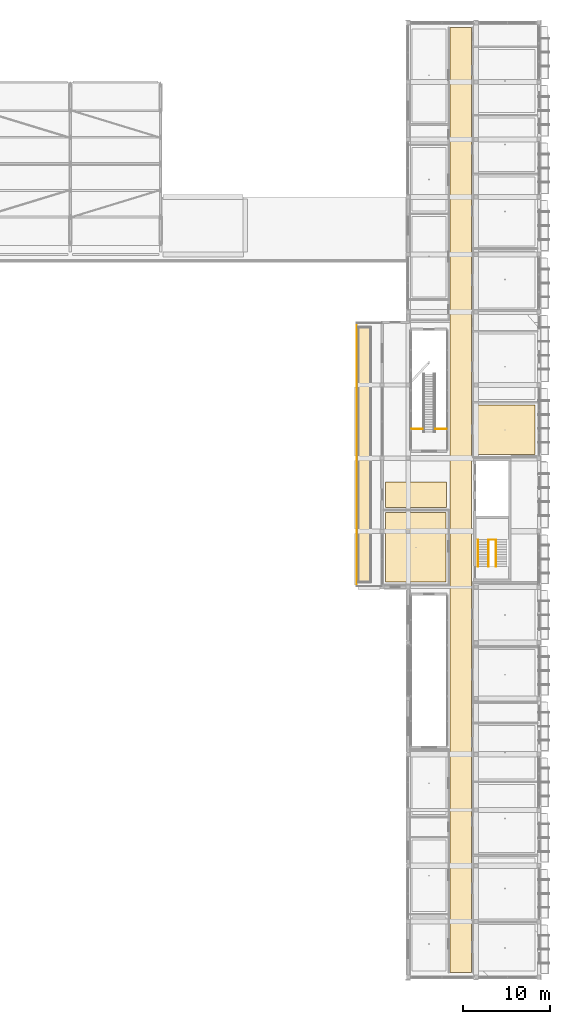
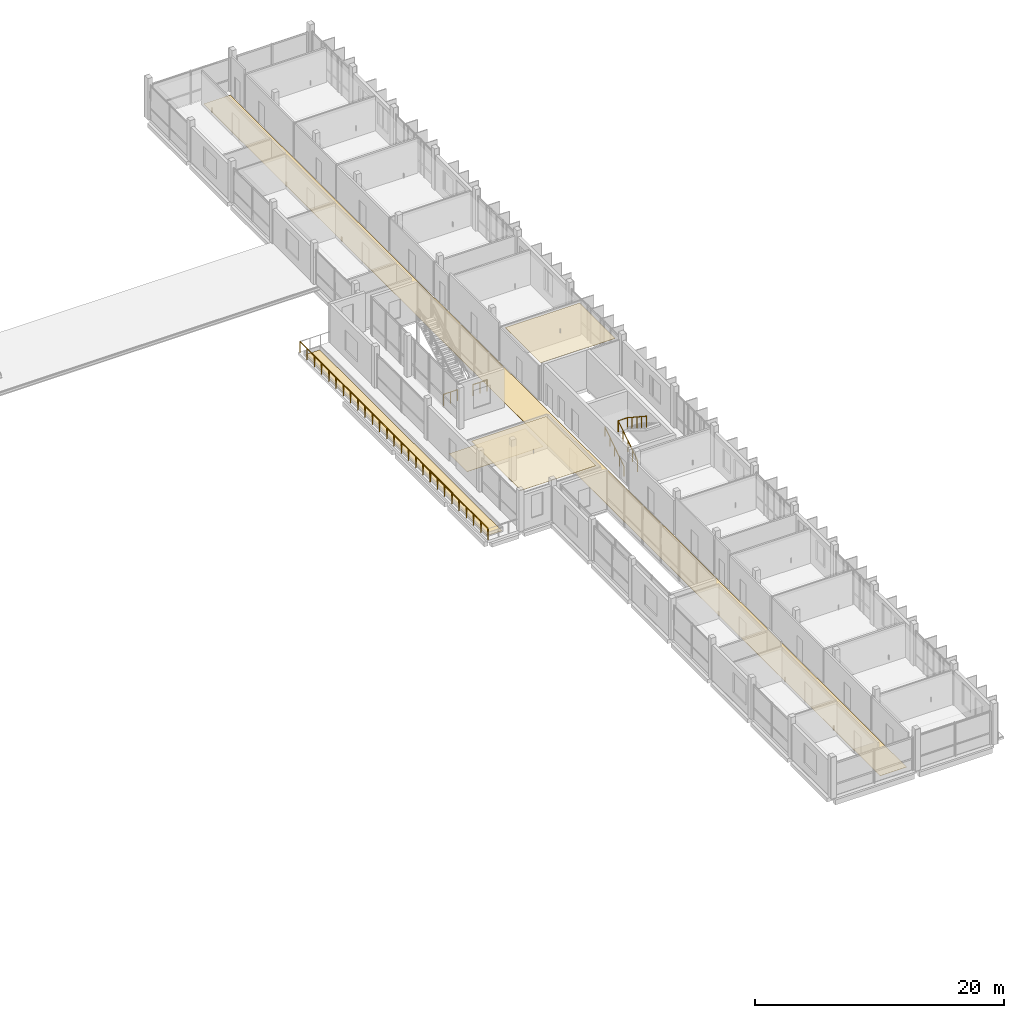
# One storey, part 84 of 86: 5 coverings, 5 railings.
"""IFC4 building model written with IfcOpenShell, lengths in metres."""

import ifcopenshell
import ifcopenshell.guid

model = None  # the IFC model being written
_history = None  # IfcOwnerHistory: only IFC2X3 demands one
_inside = {}  # id of a spatial element -> (the spatial element, [elements in it])
_under = {}  # id of a project, library or spatial element -> (it, [spatial elements below it])
_declared = {}  # id of a project -> (the project, [libraries it declares])
_typed = {}  # id of a type object -> (the type object, [elements of that type])
_made_of = {}  # id of a material, layer set ... -> (it, [elements and type objects made of it])


def new_model(schema):
    """Start an empty IFC model of exactly this schema.

    Asked for "IFC4X3", IfcOpenShell would pick the latest addendum, in which some entities
    have other attributes; the version numbers below select the first issue.
    IFC2X3 requires an IfcOwnerHistory on every rooted entity: one is made here for all.
    """
    global model, _history
    if schema == "IFC4X3":
        model = ifcopenshell.file(schema_version=(4, 3, 0, 0))
    else:
        model = ifcopenshell.file(schema=schema)
    _inside.clear()
    _under.clear()
    _declared.clear()
    _typed.clear()
    _made_of.clear()
    _history = None
    if model.schema == "IFC2X3":
        org = make("IfcOrganization", Name="unknown")
        user = make(
            "IfcPersonAndOrganization",
            ThePerson=make("IfcPerson", FamilyName="unknown"),
            TheOrganization=org,
        )
        app = make(
            "IfcApplication",
            ApplicationDeveloper=org,
            Version="unknown",
            ApplicationFullName="unknown",
            ApplicationIdentifier="unknown",
        )
        _history = make(
            "IfcOwnerHistory",
            OwningUser=user,
            OwningApplication=app,
            ChangeAction="ADDED",
            CreationDate=0,
        )
    return model


def make(cls, **values):
    """One entity of the class cls with the attributes given. An attribute that is None is left unset."""
    return model.create_entity(
        cls, **{name: value for name, value in values.items() if value is not None}
    )


def rooted(cls, **values):
    """An entity with a GlobalId (a new one), such as an element, a storey or a relation."""
    return make(cls, GlobalId=ifcopenshell.guid.new(), OwnerHistory=_history, **values)


def si_unit(unit_type, name, prefix=None):
    """IfcSIUnit, for example si_unit("LENGTHUNIT", "METRE", prefix="MILLI")."""
    return make("IfcSIUnit", UnitType=unit_type, Prefix=prefix, Name=name)


def derived_unit(unit_type, elements):
    """IfcDerivedUnit: a product of units, each with its exponent."""
    return make(
        "IfcDerivedUnit",
        Elements=[
            make("IfcDerivedUnitElement", Unit=unit, Exponent=power)
            for unit, power in elements
        ],
        UnitType=unit_type,
    )


def assignment(units):
    """IfcUnitAssignment: the units of a project."""
    return None if units is None else make("IfcUnitAssignment", Units=units)


def point(xyz):
    """IfcCartesianPoint."""
    return None if xyz is None else make("IfcCartesianPoint", Coordinates=xyz)


def direction(xyz):
    """IfcDirection."""
    return None if xyz is None else make("IfcDirection", DirectionRatios=xyz)


def frame(location, z_axis=None, x_axis=None):
    """IfcAxis2Placement3D, a coordinate frame: its origin and axes. An axis left out is left unset."""
    return make(
        "IfcAxis2Placement3D",
        Location=point(location),
        Axis=direction(z_axis),
        RefDirection=direction(x_axis),
    )


def frame_2d(location, x_axis=None):
    """IfcAxis2Placement2D, a coordinate frame in the plane: its origin and x axis."""
    return make(
        "IfcAxis2Placement2D", Location=point(location), RefDirection=direction(x_axis)
    )


def origin():
    """The frame at (0, 0, 0) with its axes left unset."""
    return frame((0.0, 0.0, 0.0))


def origin_2d():
    """The frame at (0, 0) in the plane with its x axis left unset."""
    return frame_2d((0.0, 0.0))


def place(relative_to, where):
    """IfcLocalPlacement: puts the frame where relative to a parent placement (None: the world)."""
    return make(
        "IfcLocalPlacement", PlacementRelTo=relative_to, RelativePlacement=where
    )


def context(
    kind, dimensions, precision=None, world=None, true_north=None, identifier=None
):
    """IfcGeometricRepresentationContext, for example the 3D "Model" context."""
    return make(
        "IfcGeometricRepresentationContext",
        ContextIdentifier=identifier,
        ContextType=kind,
        CoordinateSpaceDimension=dimensions,
        Precision=precision,
        WorldCoordinateSystem=world,
        TrueNorth=true_north,
    )


def subcontext(parent, identifier, kind, view, scale=None):
    """IfcGeometricRepresentationSubContext, for example "Body" below "Model"."""
    return make(
        "IfcGeometricRepresentationSubContext",
        ContextIdentifier=identifier,
        ContextType=kind,
        ParentContext=parent,
        TargetScale=scale,
        TargetView=view,
    )


def project(units=None, contexts=None):
    """IfcProject with its units and contexts."""
    return rooted(
        "IfcProject",
        Name="project",
        RepresentationContexts=contexts,
        UnitsInContext=assignment(units),
    )


def spatial(cls, under=None, at=None, **own):
    """A site, building, storey or space (cls), placed at a placement, below another one or the project."""
    s = rooted(cls, ObjectPlacement=at, **own)
    if under is not None:
        _under.setdefault(under.id(), (under, []))[1].append(s)
    return s


def polyline(points):
    """IfcPolyline through the points."""
    return make("IfcPolyline", Points=[point(p) for p in points])


def profile(cls, at=None, kind="AREA", **sizes):
    """A parametric profile (cls). Its sizes go by their IFC names, for example OverallWidth=200.0."""
    return make(cls, ProfileType=kind, Position=at, **sizes)


def circle(**sizes):
    """IfcCircleProfileDef."""
    return profile("IfcCircleProfileDef", **sizes)


def outline(outer, holes=None, kind="AREA"):
    """IfcArbitraryClosedProfileDef: a profile drawn as a closed curve; with holes, ...WithVoids."""
    if holes is None:
        return make("IfcArbitraryClosedProfileDef", ProfileType=kind, OuterCurve=outer)
    return make(
        "IfcArbitraryProfileDefWithVoids",
        ProfileType=kind,
        OuterCurve=outer,
        InnerCurves=holes,
    )


def extrude(swept, where, along, depth):
    """IfcExtrudedAreaSolid: the profile swept, set in the frame where, extruded along a direction by depth."""
    return make(
        "IfcExtrudedAreaSolid",
        SweptArea=swept,
        Position=where,
        ExtrudedDirection=direction(along),
        Depth=depth,
    )


def shape(context_of_items, identifier, shape_type, items):
    """IfcShapeRepresentation: the items that make up one representation, for example the "Body"."""
    return make(
        "IfcShapeRepresentation",
        ContextOfItems=context_of_items,
        RepresentationIdentifier=identifier,
        RepresentationType=shape_type,
        Items=items,
    )


def material(Name=None, Category=None):
    """IfcMaterial."""
    return make("IfcMaterial", Name=Name, Category=Category)


def layer(
    of_material, thickness, ventilated=None, Name=None, Category=None, Priority=None
):
    """IfcMaterialLayer: one layer of a wall or slab, of a material (None: an air gap)."""
    return make(
        "IfcMaterialLayer",
        Material=of_material,
        LayerThickness=thickness,
        IsVentilated=ventilated,
        Name=Name,
        Category=Category,
        Priority=Priority,
    )


def layer_set(layers, Name=None):
    """IfcMaterialLayerSet."""
    return make("IfcMaterialLayerSet", MaterialLayers=layers, LayerSetName=Name)


def made_of(thing, what):
    """Note that an element or type object is made of a material, layer set ...; save() writes the relation."""
    if what is not None:
        _made_of.setdefault(what.id(), (what, []))[1].append(thing)
    return thing


def type_object(cls, material=None, **own):
    """A type object (cls), such as IfcWallType, which elements share."""
    return made_of(rooted(cls, **own), material)


def element(
    cls,
    number,
    at=None,
    inside=None,
    cuts=None,
    type_object=None,
    material=None,
    context=None,
    identifier="Body",
    shape_type=None,
    held_by="IfcProductDefinitionShape",
    body=None,
    shapes=None,
    **own,
):
    """One element of the class cls, such as IfcWall. Its Tag is "e" and its number.

    at: its placement. inside: the storey or other place that contains it. cuts: it is an
    opening in that element (IfcRelVoidsElement). A single representation is given by context,
    identifier, shape_type and body (its items); several are given by shapes. held_by: the class
    of the entity that holds the representations. save() writes the other relations.
    """
    e = rooted(cls, Tag="e%d" % number, ObjectPlacement=at, **own)
    if body is not None:
        shapes = [shape(context, identifier, shape_type, body)]
    if shapes is not None:
        e.Representation = make(held_by, Representations=shapes)
    if inside is not None:
        _inside.setdefault(inside.id(), (inside, []))[1].append(e)
    if cuts is not None:
        rooted(
            "IfcRelVoidsElement", RelatingBuildingElement=cuts, RelatedOpeningElement=e
        )
    if type_object is not None:
        _typed.setdefault(type_object.id(), (type_object, []))[1].append(e)
    return made_of(e, material)


def aggregate(whole, parts):
    """IfcRelAggregates: a whole, such as a stair, and the parts it consists of."""
    return rooted("IfcRelAggregates", RelatingObject=whole, RelatedObjects=parts)


def save(model, path):
    """Write the relations noted so far, then the file.

    IfcRelAggregates (storeys below a building ...), IfcRelContainedInSpatialStructure (elements
    in a storey), IfcRelDefinesByType, IfcRelAssociatesMaterial and IfcRelDeclares: one each for
    every whole, place, type object, material and project.
    """
    for whole, parts in _under.values():
        aggregate(whole, parts)
    for where, things in _inside.values():
        rooted(
            "IfcRelContainedInSpatialStructure",
            RelatedElements=things,
            RelatingStructure=where,
        )
    for kind, things in _typed.values():
        rooted("IfcRelDefinesByType", RelatedObjects=things, RelatingType=kind)
    for what, things in _made_of.values():
        rooted("IfcRelAssociatesMaterial", RelatedObjects=things, RelatingMaterial=what)
    for by, libraries in _declared.values():
        rooted("IfcRelDeclares", RelatingContext=by, RelatedDefinitions=libraries)
    model.write(path)


model = new_model("IFC4")

# Units and contexts
model_context = context("Model", 3, precision=1e-05, world=origin(), true_north=direction((0.0, 1.0)))
body_context = subcontext(model_context, "Body", "Model", "MODEL_VIEW")
ifc_project = project(units=[si_unit("LENGTHUNIT", "METRE"), si_unit("AREAUNIT", "SQUARE_METRE"), si_unit("VOLUMEUNIT", "CUBIC_METRE"), si_unit("PLANEANGLEUNIT", "RADIAN"), si_unit("MASSUNIT", "GRAM", prefix="KILO"), derived_unit("THERMALTRANSMITTANCEUNIT", [(si_unit("POWERUNIT", "WATT"), 1), (si_unit("LENGTHUNIT", "METRE"), -2), (si_unit("THERMODYNAMICTEMPERATUREUNIT", "KELVIN"), -1)])], contexts=[model_context])

# Site, building, storey
site_placement = place(None, origin())
site = spatial("IfcSite", under=ifc_project, at=site_placement, CompositionType="ELEMENT")
building_placement = place(site_placement, origin())
building = spatial("IfcBuilding", under=site, at=building_placement, Name="Braskholm Square Health Centre", CompositionType="ELEMENT")
storey_placement = place(building_placement, frame((0.0, 0.0, 13.5)))
storey = spatial("IfcBuildingStorey", under=building, at=storey_placement, Name="L04", CompositionType="ELEMENT", Elevation=13.5)

# Coverings
ifc_material_1 = material(Name="Fire-rated gypsum board barrier")
ifc_layer_1 = layer(ifc_material_1, 0.02490234375)
ifc_layer_set_1 = layer_set([ifc_layer_1], Name="Fire-rated gypsum board barrier")
covering_type_1 = type_object("IfcCoveringType", Name="AcousticClinicalCeilingTile", PredefinedType="CEILING", material=ifc_layer_set_1)
covering_1_placement = place(storey_placement, frame((0.0, 0.0, 3.35498046875)))
element("IfcCovering", 1, at=covering_1_placement, inside=storey, type_object=covering_type_1, Name="Acoustic ceiling L04-250", PredefinedType="CEILING", context=body_context, shape_type="SweptSolid", body=[
    extrude(outline(polyline([(156.5, 64.199951171875), (163.3798828125, 64.199951171875), (163.3798828125, 69.919921875), (156.5, 69.919921875), (156.5, 64.199951171875)])), origin(), (0.0, 0.0, 1.0), 0.02490234375),
])
covering_2_placement = place(storey_placement, frame((0.0, 0.0, 3.3349609375)))
element("IfcCovering", 2, at=covering_2_placement, inside=storey, type_object=covering_type_1, Name="Acoustic ceiling L04-263", PredefinedType="CEILING", context=body_context, shape_type="SweptSolid", body=[
    extrude(outline(polyline([(146.219970703125, 49.580078125), (153.14990234375, 49.580078125), (153.14990234375, 57.550048828125), (146.219970703125, 57.550048828125), (146.219970703125, 49.580078125)])), origin(), (0.0, 0.0, 1.0), 0.025146484375),
])

# Railings
ifc_material_2 = material(Name="Dark patinated chevron architectural bronze", Category="aluminium")
railing_type_1 = type_object("IfcRailingType", Name="BronzeChevronGuardrail1100", PredefinedType="GUARDRAIL", material=ifc_material_2)
railing_1_placement = place(storey_placement, frame((158.030029296875, 51.360107421875, 0.0)))
element("IfcRailing", 3, at=railing_1_placement, inside=storey, type_object=railing_type_1, Name="Stair ST-04 inner well guardrail L04", PredefinedType="GUARDRAIL", context=body_context, shape_type="SweptSolid", body=[
    extrude(circle(Radius=0.02392578125, at=origin_2d()), frame((0.0, 0.0, 1.076171875), z_axis=(0.0, 0.83557951683, 0.54936952141), x_axis=(-1.0, 0.0, 0.0)), (0.0, 0.0, 1.0), 3.685791015625),
    extrude(circle(Radius=0.02392578125, at=origin_2d()), frame((0.0, 3.079833984375, 3.10107421875), z_axis=(1.0, 0.0, 0.0), x_axis=(0.0, 1.0, 0.0)), (0.0, 0.0, 1.0), 0.840087890625),
    extrude(circle(Radius=0.02392578125, at=origin_2d()), frame((0.840087890625, 3.079833984375, 3.10107421875), z_axis=(0.0, -0.835549111106, 0.549415765091), x_axis=(1.0, 0.0, 0.0)), (0.0, 0.0, 1.0), 3.68603515625),
    extrude(circle(Radius=0.02099609375, at=origin_2d()), origin(), (0.0, 0.0, 1.0), 1.052001953125),
    extrude(circle(Radius=0.02099609375, at=origin_2d()), frame((0.0, 0.77001953125, 0.50634765625)), (0.0, 0.0, 1.0), 1.052001953125),
    extrude(circle(Radius=0.02099609375, at=origin_2d()), frame((0.0, 1.5400390625, 1.012451171875)), (0.0, 0.0, 1.0), 1.052001953125),
    extrude(circle(Radius=0.02099609375, at=origin_2d()), frame((0.0, 2.309814453125, 1.5185546875)), (0.0, 0.0, 1.0), 1.052001953125),
    extrude(circle(Radius=0.02099609375, at=origin_2d()), frame((0.0, 3.079833984375, 2.02490234375)), (0.0, 0.0, 1.0), 1.052001953125),
    extrude(circle(Radius=0.02099609375, at=origin_2d()), frame((0.840087890625, 3.079833984375, 2.02490234375)), (0.0, 0.0, 1.0), 1.052001953125),
    extrude(circle(Radius=0.02099609375, at=origin_2d()), frame((0.840087890625, 2.309814453125, 2.53125)), (0.0, 0.0, 1.0), 1.052001953125),
    extrude(circle(Radius=0.02099609375, at=origin_2d()), frame((0.840087890625, 1.5400390625, 3.03759765625)), (0.0, 0.0, 1.0), 1.052001953125),
    extrude(circle(Radius=0.02099609375, at=origin_2d()), frame((0.840087890625, 0.77001953125, 3.543701171875)), (0.0, 0.0, 1.0), 1.052001953125),
    extrude(circle(Radius=0.02099609375, at=origin_2d()), frame((0.840087890625, 0.0, 4.050048828125)), (0.0, 0.0, 1.0), 1.052001953125),
])
for number, where, name in (
    (4, (149.179931640625, 67.14990234375, 0.0), "Atrium stair landing edge guard 25"),
    (5, (151.919921875, 67.14990234375, 0.0), "Atrium stair landing edge guard 26"),
):
    element("IfcRailing", number, at=place(storey_placement, frame(where)), inside=storey, type_object=railing_type_1, Name=name, PredefinedType="GUARDRAIL", context=body_context, shape_type="SweptSolid", body=[
        extrude(circle(Radius=0.02392578125, at=origin_2d()), frame((0.0, 0.0, 1.076171875), z_axis=(1.0, 0.0, 0.0), x_axis=(0.0, 1.0, 0.0)), (0.0, 0.0, 1.0), 1.300048828125),
        extrude(circle(Radius=0.02099609375, at=origin_2d()), origin(), (0.0, 0.0, 1.0), 1.052001953125),
        extrude(circle(Radius=0.02099609375, at=origin_2d()), frame((0.64990234375, 0.0, 0.0)), (0.0, 0.0, 1.0), 1.052001953125),
        extrude(circle(Radius=0.02099609375, at=origin_2d()), frame((1.300048828125, 0.0, 0.0)), (0.0, 0.0, 1.0), 1.052001953125),
    ])
railing_2_placement = place(storey_placement, frame((142.89990234375, 49.10009765625, 0.0)))
element("IfcRailing", 6, at=railing_2_placement, inside=storey, type_object=railing_type_1, Name="Bronze chevron guardrail 0045 L04", PredefinedType="GUARDRAIL", context=body_context, shape_type="SweptSolid", body=[
    extrude(circle(Radius=0.02392578125, at=origin_2d()), frame((0.0, 0.0, 1.076171875), z_axis=(0.0, 1.0, 0.0), x_axis=(-1.0, 0.0, 0.0)), (0.0, 0.0, 1.0), 30.199951171875),
    extrude(circle(Radius=0.02099609375, at=origin_2d()), origin(), (0.0, 0.0, 1.0), 1.052001953125),
    extrude(circle(Radius=0.02099609375, at=origin_2d()), frame((0.0, 1.16162109375, 0.0)), (0.0, 0.0, 1.0), 1.052001953125),
    extrude(circle(Radius=0.02099609375, at=origin_2d()), frame((0.0, 2.322998046875, 0.0)), (0.0, 0.0, 1.0), 1.052001953125),
    extrude(circle(Radius=0.02099609375, at=origin_2d()), frame((0.0, 3.484619140625, 0.0)), (0.0, 0.0, 1.0), 1.052001953125),
    extrude(circle(Radius=0.02099609375, at=origin_2d()), frame((0.0, 4.646240234375, 0.0)), (0.0, 0.0, 1.0), 1.052001953125),
    extrude(circle(Radius=0.02099609375, at=origin_2d()), frame((0.0, 5.8076171875, 0.0)), (0.0, 0.0, 1.0), 1.052001953125),
    extrude(circle(Radius=0.02099609375, at=origin_2d()), frame((0.0, 6.96923828125, 0.0)), (0.0, 0.0, 1.0), 1.052001953125),
    extrude(circle(Radius=0.02099609375, at=origin_2d()), frame((0.0, 8.130859375, 0.0)), (0.0, 0.0, 1.0), 1.052001953125),
    extrude(circle(Radius=0.02099609375, at=origin_2d()), frame((0.0, 9.292236328125, 0.0)), (0.0, 0.0, 1.0), 1.052001953125),
    extrude(circle(Radius=0.02099609375, at=origin_2d()), frame((0.0, 10.453857421875, 0.0)), (0.0, 0.0, 1.0), 1.052001953125),
    extrude(circle(Radius=0.02099609375, at=origin_2d()), frame((0.0, 11.615478515625, 0.0)), (0.0, 0.0, 1.0), 1.052001953125),
    extrude(circle(Radius=0.02099609375, at=origin_2d()), frame((0.0, 12.77685546875, 0.0)), (0.0, 0.0, 1.0), 1.052001953125),
    extrude(circle(Radius=0.02099609375, at=origin_2d()), frame((0.0, 13.9384765625, 0.0)), (0.0, 0.0, 1.0), 1.052001953125),
    extrude(circle(Radius=0.02099609375, at=origin_2d()), frame((0.0, 15.10009765625, 0.0)), (0.0, 0.0, 1.0), 1.052001953125),
    extrude(circle(Radius=0.02099609375, at=origin_2d()), frame((0.0, 16.261474609375, 0.0)), (0.0, 0.0, 1.0), 1.052001953125),
    extrude(circle(Radius=0.02099609375, at=origin_2d()), frame((0.0, 17.423095703125, 0.0)), (0.0, 0.0, 1.0), 1.052001953125),
    extrude(circle(Radius=0.02099609375, at=origin_2d()), frame((0.0, 18.58447265625, 0.0)), (0.0, 0.0, 1.0), 1.052001953125),
    extrude(circle(Radius=0.02099609375, at=origin_2d()), frame((0.0, 19.74609375, 0.0)), (0.0, 0.0, 1.0), 1.052001953125),
    extrude(circle(Radius=0.02099609375, at=origin_2d()), frame((0.0, 20.90771484375, 0.0)), (0.0, 0.0, 1.0), 1.052001953125),
    extrude(circle(Radius=0.02099609375, at=origin_2d()), frame((0.0, 22.069091796875, 0.0)), (0.0, 0.0, 1.0), 1.052001953125),
    extrude(circle(Radius=0.02099609375, at=origin_2d()), frame((0.0, 23.230712890625, 0.0)), (0.0, 0.0, 1.0), 1.052001953125),
    extrude(circle(Radius=0.02099609375, at=origin_2d()), frame((0.0, 24.392333984375, 0.0)), (0.0, 0.0, 1.0), 1.052001953125),
    extrude(circle(Radius=0.02099609375, at=origin_2d()), frame((0.0, 25.5537109375, 0.0)), (0.0, 0.0, 1.0), 1.052001953125),
    extrude(circle(Radius=0.02099609375, at=origin_2d()), frame((0.0, 26.71533203125, 0.0)), (0.0, 0.0, 1.0), 1.052001953125),
    extrude(circle(Radius=0.02099609375, at=origin_2d()), frame((0.0, 27.876953125, 0.0)), (0.0, 0.0, 1.0), 1.052001953125),
    extrude(circle(Radius=0.02099609375, at=origin_2d()), frame((0.0, 29.038330078125, 0.0)), (0.0, 0.0, 1.0), 1.052001953125),
    extrude(circle(Radius=0.02099609375, at=origin_2d()), frame((0.0, 30.199951171875, 0.0)), (0.0, 0.0, 1.0), 1.052001953125),
])

# Coverings
ifc_material_3 = material(Name="Intensive botanical sedum and native prairie garden bed")
ifc_layer_2 = layer(ifc_material_3, 0.02490234375)
ifc_layer_set_2 = layer_set([ifc_layer_2], Name="Intensive botanical sedum and native prairie garden bed")
covering_type_2 = type_object("IfcCoveringType", Name="PlantedTerraceGardenBed", PredefinedType="ROOFING", material=ifc_layer_set_2)
covering_3_placement = place(storey_placement, origin())
element("IfcCovering", 7, at=covering_3_placement, inside=storey, type_object=covering_type_2, Name="Planted therapy terrace garden bed 0917", PredefinedType="ROOFING", context=body_context, shape_type="SweptSolid", body=[
    extrude(outline(polyline([(143.10009765625, 49.60009765625), (144.449951171875, 49.60009765625), (144.449951171875, 78.800048828125), (143.10009765625, 78.800048828125), (143.10009765625, 49.60009765625)])), origin(), (0.0, 0.0, 1.0), 0.02490234375),
])
ifc_material_4 = material(Name="Polished geometric terrazzo flooring", Category="masonry")
ifc_layer_3 = layer(ifc_material_4, 0.02001953125)
ifc_layer_set_3 = layer_set([ifc_layer_3], Name="Polished geometric terrazzo flooring")
covering_type_3 = type_object("IfcCoveringType", Name="PolishedTerrazzoFloorFinish", PredefinedType="FLOORING", material=ifc_layer_set_3)
covering_4_placement = place(storey_placement, origin())
element("IfcCovering", 8, at=covering_4_placement, inside=storey, type_object=covering_type_3, Name="Polished terrazzo floor L04-242", PredefinedType="FLOORING", context=body_context, shape_type="SweptSolid", body=[
    extrude(outline(polyline([(153.60009765625, 4.75), (156.050048828125, 4.75), (156.050048828125, 113.25), (153.60009765625, 113.25), (153.60009765625, 4.75)])), origin(), (0.0, 0.0, 1.0), 0.02001953125),
])
covering_5_placement = place(storey_placement, origin())
element("IfcCovering", 9, at=covering_5_placement, inside=storey, type_object=covering_type_3, Name="Polished terrazzo floor L04-258", PredefinedType="FLOORING", context=body_context, shape_type="SweptSolid", body=[
    extrude(outline(polyline([(146.169921875, 58.14990234375), (153.219970703125, 58.14990234375), (153.219970703125, 61.050048828125), (146.169921875, 61.050048828125), (146.169921875, 58.14990234375)])), origin(), (0.0, 0.0, 1.0), 0.02001953125),
])

# Railing
railing_type_2 = type_object("IfcRailingType", Name="StairTubularHandrail915", PredefinedType="HANDRAIL", material=ifc_material_2)
railing_3_placement = place(storey_placement, frame((156.800048828125, 51.360107421875, 0.0)))
element("IfcRailing", 10, at=railing_3_placement, inside=storey, type_object=railing_type_2, Name="Stair ST-04 wall handrail F1 L04", PredefinedType="HANDRAIL", context=body_context, shape_type="SweptSolid", body=[
    extrude(circle(Radius=0.02392578125, at=origin_2d()), frame((0.0, 0.0, 0.89111328125), z_axis=(0.0, 0.83557951683, 0.54936952141), x_axis=(-1.0, 0.0, 0.0)), (0.0, 0.0, 1.0), 3.685791015625),
    extrude(circle(Radius=0.02099609375, at=origin_2d()), origin(), (0.0, 0.0, 1.0), 0.866943359375),
    extrude(circle(Radius=0.02099609375, at=origin_2d()), frame((0.0, 0.77001953125, 0.50634765625)), (0.0, 0.0, 1.0), 0.866943359375),
    extrude(circle(Radius=0.02099609375, at=origin_2d()), frame((0.0, 1.5400390625, 1.012451171875)), (0.0, 0.0, 1.0), 0.866943359375),
    extrude(circle(Radius=0.02099609375, at=origin_2d()), frame((0.0, 2.309814453125, 1.5185546875)), (0.0, 0.0, 1.0), 0.866943359375),
    extrude(circle(Radius=0.02099609375, at=origin_2d()), frame((0.0, 3.079833984375, 2.02490234375)), (0.0, 0.0, 1.0), 0.866943359375),
])

save(model, "model.ifc")
